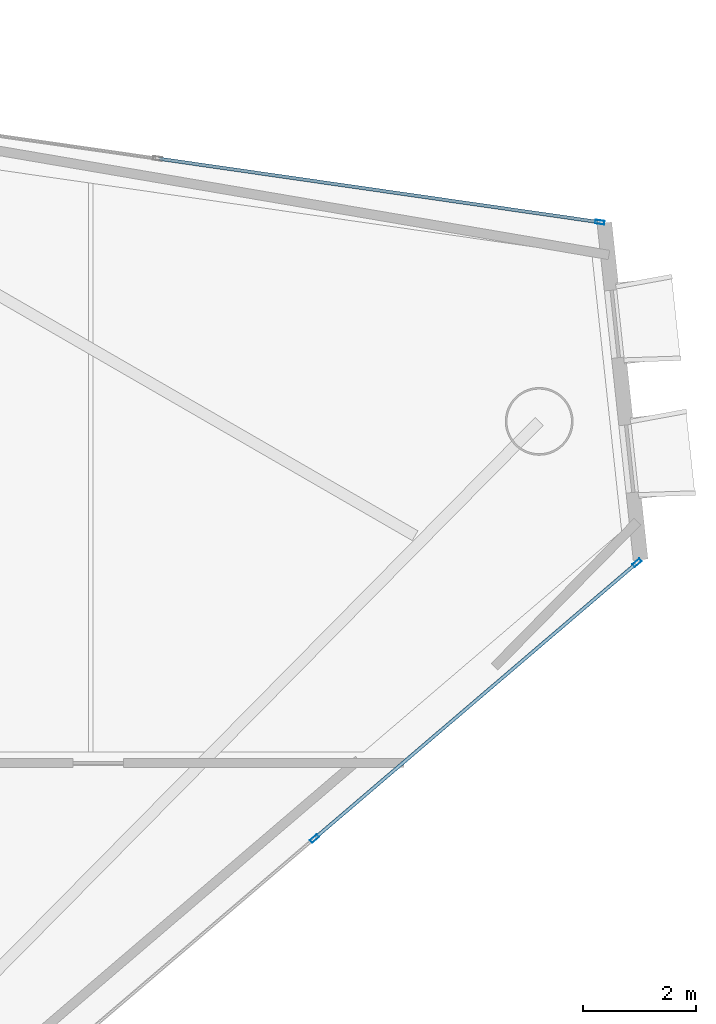
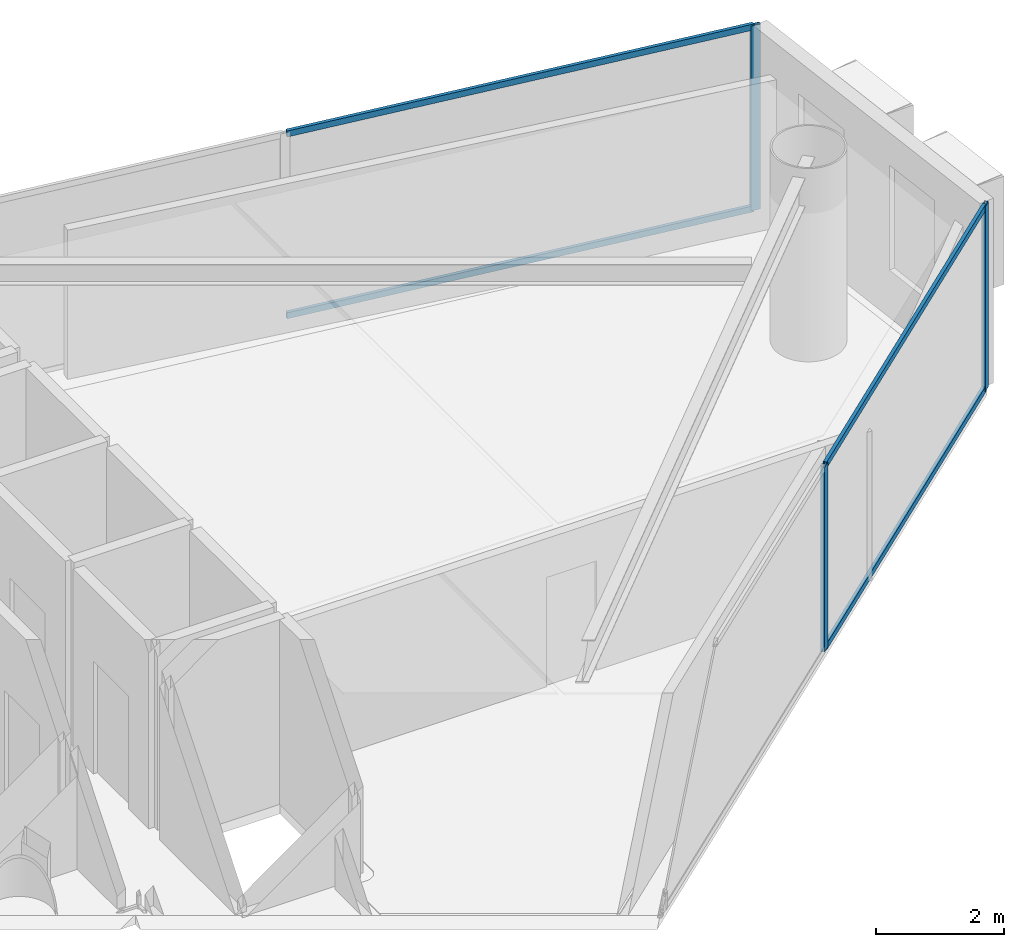
# One storey, part 15 of 23: 7 members, 2 elements without a shape of their own.
"""IFC4 building model written with IfcOpenShell, lengths in metres."""

import ifcopenshell
import ifcopenshell.guid

model = None  # the IFC model being written
_history = None  # IfcOwnerHistory: only IFC2X3 demands one
_inside = {}  # id of a spatial element -> (the spatial element, [elements in it])
_under = {}  # id of a project, library or spatial element -> (it, [spatial elements below it])
_declared = {}  # id of a project -> (the project, [libraries it declares])
_typed = {}  # id of a type object -> (the type object, [elements of that type])
_made_of = {}  # id of a material, layer set ... -> (it, [elements and type objects made of it])


def new_model(schema):
    """Start an empty IFC model of exactly this schema.

    Asked for "IFC4X3", IfcOpenShell would pick the latest addendum, in which some entities
    have other attributes; the version numbers below select the first issue.
    IFC2X3 requires an IfcOwnerHistory on every rooted entity: one is made here for all.
    """
    global model, _history
    if schema == "IFC4X3":
        model = ifcopenshell.file(schema_version=(4, 3, 0, 0))
    else:
        model = ifcopenshell.file(schema=schema)
    _inside.clear()
    _under.clear()
    _declared.clear()
    _typed.clear()
    _made_of.clear()
    _history = None
    if model.schema == "IFC2X3":
        org = make("IfcOrganization", Name="unknown")
        user = make(
            "IfcPersonAndOrganization",
            ThePerson=make("IfcPerson", FamilyName="unknown"),
            TheOrganization=org,
        )
        app = make(
            "IfcApplication",
            ApplicationDeveloper=org,
            Version="unknown",
            ApplicationFullName="unknown",
            ApplicationIdentifier="unknown",
        )
        _history = make(
            "IfcOwnerHistory",
            OwningUser=user,
            OwningApplication=app,
            ChangeAction="ADDED",
            CreationDate=0,
        )
    return model


def make(cls, **values):
    """One entity of the class cls with the attributes given. An attribute that is None is left unset."""
    return model.create_entity(
        cls, **{name: value for name, value in values.items() if value is not None}
    )


def rooted(cls, **values):
    """An entity with a GlobalId (a new one), such as an element, a storey or a relation."""
    return make(cls, GlobalId=ifcopenshell.guid.new(), OwnerHistory=_history, **values)


def si_unit(unit_type, name, prefix=None):
    """IfcSIUnit, for example si_unit("LENGTHUNIT", "METRE", prefix="MILLI")."""
    return make("IfcSIUnit", UnitType=unit_type, Prefix=prefix, Name=name)


def assignment(units):
    """IfcUnitAssignment: the units of a project."""
    return None if units is None else make("IfcUnitAssignment", Units=units)


def point(xyz):
    """IfcCartesianPoint."""
    return None if xyz is None else make("IfcCartesianPoint", Coordinates=xyz)


def direction(xyz):
    """IfcDirection."""
    return None if xyz is None else make("IfcDirection", DirectionRatios=xyz)


def frame(location, z_axis=None, x_axis=None):
    """IfcAxis2Placement3D, a coordinate frame: its origin and axes. An axis left out is left unset."""
    return make(
        "IfcAxis2Placement3D",
        Location=point(location),
        Axis=direction(z_axis),
        RefDirection=direction(x_axis),
    )


def frame_2d(location, x_axis=None):
    """IfcAxis2Placement2D, a coordinate frame in the plane: its origin and x axis."""
    return make(
        "IfcAxis2Placement2D", Location=point(location), RefDirection=direction(x_axis)
    )


def origin():
    """The frame at (0, 0, 0) with its axes left unset."""
    return frame((0.0, 0.0, 0.0))


def origin_2d():
    """The frame at (0, 0) in the plane with its x axis left unset."""
    return frame_2d((0.0, 0.0))


def place(relative_to, where):
    """IfcLocalPlacement: puts the frame where relative to a parent placement (None: the world)."""
    return make(
        "IfcLocalPlacement", PlacementRelTo=relative_to, RelativePlacement=where
    )


def context(
    kind, dimensions, precision=None, world=None, true_north=None, identifier=None
):
    """IfcGeometricRepresentationContext, for example the 3D "Model" context."""
    return make(
        "IfcGeometricRepresentationContext",
        ContextIdentifier=identifier,
        ContextType=kind,
        CoordinateSpaceDimension=dimensions,
        Precision=precision,
        WorldCoordinateSystem=world,
        TrueNorth=true_north,
    )


def subcontext(parent, identifier, kind, view, scale=None):
    """IfcGeometricRepresentationSubContext, for example "Body" below "Model"."""
    return make(
        "IfcGeometricRepresentationSubContext",
        ContextIdentifier=identifier,
        ContextType=kind,
        ParentContext=parent,
        TargetScale=scale,
        TargetView=view,
    )


def project(units=None, contexts=None):
    """IfcProject with its units and contexts."""
    return rooted(
        "IfcProject",
        Name="project",
        RepresentationContexts=contexts,
        UnitsInContext=assignment(units),
    )


def spatial(cls, under=None, at=None, **own):
    """A site, building, storey or space (cls), placed at a placement, below another one or the project."""
    s = rooted(cls, ObjectPlacement=at, **own)
    if under is not None:
        _under.setdefault(under.id(), (under, []))[1].append(s)
    return s


def profile(cls, at=None, kind="AREA", **sizes):
    """A parametric profile (cls). Its sizes go by their IFC names, for example OverallWidth=200.0."""
    return make(cls, ProfileType=kind, Position=at, **sizes)


def hollow_rectangle(**sizes):
    """IfcRectangleHollowProfileDef."""
    return profile("IfcRectangleHollowProfileDef", **sizes)


def extrude(swept, where, along, depth):
    """IfcExtrudedAreaSolid: the profile swept, set in the frame where, extruded along a direction by depth."""
    return make(
        "IfcExtrudedAreaSolid",
        SweptArea=swept,
        Position=where,
        ExtrudedDirection=direction(along),
        Depth=depth,
    )


def shape(context_of_items, identifier, shape_type, items):
    """IfcShapeRepresentation: the items that make up one representation, for example the "Body"."""
    return make(
        "IfcShapeRepresentation",
        ContextOfItems=context_of_items,
        RepresentationIdentifier=identifier,
        RepresentationType=shape_type,
        Items=items,
    )


def material(Name=None, Category=None):
    """IfcMaterial."""
    return make("IfcMaterial", Name=Name, Category=Category)


def layer(
    of_material, thickness, ventilated=None, Name=None, Category=None, Priority=None
):
    """IfcMaterialLayer: one layer of a wall or slab, of a material (None: an air gap)."""
    return make(
        "IfcMaterialLayer",
        Material=of_material,
        LayerThickness=thickness,
        IsVentilated=ventilated,
        Name=Name,
        Category=Category,
        Priority=Priority,
    )


def layer_set(layers, Name=None):
    """IfcMaterialLayerSet."""
    return make("IfcMaterialLayerSet", MaterialLayers=layers, LayerSetName=Name)


def material_profile(
    of_material, cross_section, Name=None, Category=None, Priority=None
):
    """IfcMaterialProfile: a cross section and its material."""
    return make(
        "IfcMaterialProfile",
        Name=Name,
        Material=of_material,
        Profile=cross_section,
        Priority=Priority,
        Category=Category,
    )


def profile_set(profiles, Name=None, composite=None):
    """IfcMaterialProfileSet."""
    return make(
        "IfcMaterialProfileSet",
        Name=Name,
        MaterialProfiles=profiles,
        CompositeProfile=composite,
    )


def made_of(thing, what):
    """Note that an element or type object is made of a material, layer set ...; save() writes the relation."""
    if what is not None:
        _made_of.setdefault(what.id(), (what, []))[1].append(thing)
    return thing


def type_object(cls, material=None, **own):
    """A type object (cls), such as IfcWallType, which elements share."""
    return made_of(rooted(cls, **own), material)


def element(
    cls,
    number,
    at=None,
    inside=None,
    cuts=None,
    type_object=None,
    material=None,
    context=None,
    identifier="Body",
    shape_type=None,
    held_by="IfcProductDefinitionShape",
    body=None,
    shapes=None,
    **own,
):
    """One element of the class cls, such as IfcWall. Its Tag is "e" and its number.

    at: its placement. inside: the storey or other place that contains it. cuts: it is an
    opening in that element (IfcRelVoidsElement). A single representation is given by context,
    identifier, shape_type and body (its items); several are given by shapes. held_by: the class
    of the entity that holds the representations. save() writes the other relations.
    """
    e = rooted(cls, Tag="e%d" % number, ObjectPlacement=at, **own)
    if body is not None:
        shapes = [shape(context, identifier, shape_type, body)]
    if shapes is not None:
        e.Representation = make(held_by, Representations=shapes)
    if inside is not None:
        _inside.setdefault(inside.id(), (inside, []))[1].append(e)
    if cuts is not None:
        rooted(
            "IfcRelVoidsElement", RelatingBuildingElement=cuts, RelatedOpeningElement=e
        )
    if type_object is not None:
        _typed.setdefault(type_object.id(), (type_object, []))[1].append(e)
    return made_of(e, material)


def aggregate(whole, parts):
    """IfcRelAggregates: a whole, such as a stair, and the parts it consists of."""
    return rooted("IfcRelAggregates", RelatingObject=whole, RelatedObjects=parts)


def save(model, path):
    """Write the relations noted so far, then the file.

    IfcRelAggregates (storeys below a building ...), IfcRelContainedInSpatialStructure (elements
    in a storey), IfcRelDefinesByType, IfcRelAssociatesMaterial and IfcRelDeclares: one each for
    every whole, place, type object, material and project.
    """
    for whole, parts in _under.values():
        aggregate(whole, parts)
    for where, things in _inside.values():
        rooted(
            "IfcRelContainedInSpatialStructure",
            RelatedElements=things,
            RelatingStructure=where,
        )
    for kind, things in _typed.values():
        rooted("IfcRelDefinesByType", RelatedObjects=things, RelatingType=kind)
    for what, things in _made_of.values():
        rooted("IfcRelAssociatesMaterial", RelatedObjects=things, RelatingMaterial=what)
    for by, libraries in _declared.values():
        rooted("IfcRelDeclares", RelatingContext=by, RelatedDefinitions=libraries)
    model.write(path)


model = new_model("IFC4")

# Units and contexts
model_context = context("Model", 3, precision=1e-05, world=origin(), true_north=direction((0.0, 1.0)))
body_context = subcontext(model_context, "Body", "Model", "MODEL_VIEW")
ifc_project = project(units=[si_unit("LENGTHUNIT", "METRE"), si_unit("AREAUNIT", "SQUARE_METRE"), si_unit("VOLUMEUNIT", "CUBIC_METRE"), si_unit("PLANEANGLEUNIT", "RADIAN"), si_unit("MASSUNIT", "GRAM", prefix="KILO")], contexts=[model_context])

# Site, building, storey
site_placement = place(None, origin())
site = spatial("IfcSite", under=ifc_project, at=site_placement, CompositionType="ELEMENT")
building_placement = place(site_placement, origin())
building = spatial("IfcBuilding", under=site, at=building_placement, Name="Qianvela Tower", CompositionType="ELEMENT")
storey_placement = place(building_placement, frame((0.0, 0.0, 215.10009765625)))
storey = spatial("IfcBuildingStorey", under=building, at=storey_placement, Name="L55", CompositionType="ELEMENT", Elevation=215.10009765625)

# Curtain wall, member
ifc_material_1 = material(Name="Anodised Architectural Aluminium and Low-E Glass", Category="aluminium")
ifc_layer = layer(ifc_material_1, 0.159912109375)
ifc_layer_set = layer_set([ifc_layer], Name="Anodised Architectural Aluminium and Low-E Glass")
curtain_wall_type = type_object("IfcCurtainWallType", Name="CW-COLIV-Z56", PredefinedType="USERDEFINED", material=ifc_layer_set)
curtain_wall_1_placement = place(storey_placement, origin())
curtain_wall_1 = element("IfcCurtainWall", 1, at=curtain_wall_1_placement, inside=storey, type_object=curtain_wall_type, Name="L55 CW-COLIV-Z56 Curtain Wall 02A", ObjectType="CURTAIN_WALL_SYSTEM", PredefinedType="USERDEFINED")
ifc_material_2 = material(Name="Anodised Architectural Aluminium 6063-T6", Category="aluminium")
ifc_material_profile_1 = material_profile(ifc_material_2, hollow_rectangle(XDim=0.06494140625, YDim=0.159912109375, WallThickness=0.0048828125, at=origin_2d()), Name="ALU-MULL-65x160")
ifc_profile_set_1 = profile_set([ifc_material_profile_1], Name="Anodised Architectural Aluminium 6063-T6")
member_type_1 = type_object("IfcMemberType", Name="CW-COLIV-Z56-MULL", PredefinedType="MULLION", material=ifc_profile_set_1)
member_1_placement = place(storey_placement, frame((57.96923828125, 34.7939453125, 0.0), z_axis=(0.0, 0.0, 1.0), x_axis=(-0.142508103244, -0.989793635315, 0.0)))
member_1 = element("IfcMember", 2, at=member_1_placement, type_object=member_type_1, Name="CW-5 mullion 1", PredefinedType="MULLION", context=body_context, shape_type="SweptSolid", body=[
    extrude(hollow_rectangle(XDim=0.06494140625, YDim=0.159912109375, WallThickness=0.0048828125, at=origin_2d()), origin(), (0.0, 0.0, 1.0), 3.52001953125),
])

# Curtain wall, members
curtain_wall_2_placement = place(storey_placement, origin())
curtain_wall_2 = element("IfcCurtainWall", 3, at=curtain_wall_2_placement, inside=storey, type_object=curtain_wall_type, Name="L55 CW-COLIV-Z56 Curtain Wall 06C", ObjectType="CURTAIN_WALL_SYSTEM", PredefinedType="USERDEFINED")
member_2_placement = place(storey_placement, frame((52.919677734375, 23.8896484375, 0.0), z_axis=(0.0, 0.0, 1.0), x_axis=(-0.649616798555, 0.760261806903, 0.0)))
member_2 = element("IfcMember", 4, at=member_2_placement, type_object=member_type_1, Name="CW-5 mullion 2", PredefinedType="MULLION", context=body_context, shape_type="SweptSolid", body=[
    extrude(hollow_rectangle(XDim=0.06494140625, YDim=0.159912109375, WallThickness=0.0048828125, at=origin_2d()), origin(), (0.0, 0.0, 1.0), 3.52001953125),
])
member_3_placement = place(storey_placement, frame((58.62890625, 28.76806640625, 0.0), z_axis=(0.0, 0.0, 1.0), x_axis=(-0.649616798555, 0.760261806903, 0.0)))
member_3 = element("IfcMember", 5, at=member_3_placement, type_object=member_type_1, Name="CW-5 mullion 3", PredefinedType="MULLION", context=body_context, shape_type="SweptSolid", body=[
    extrude(hollow_rectangle(XDim=0.06494140625, YDim=0.159912109375, WallThickness=0.0048828125, at=origin_2d()), origin(), (0.0, 0.0, 1.0), 3.52001953125),
])

# Member
ifc_material_3 = material(Name="Anodised Architectural Aluminium 6063-T6", Category="aluminium")
ifc_material_profile_2 = material_profile(ifc_material_3, hollow_rectangle(XDim=0.06005859375, YDim=0.114990234375, WallThickness=0.00390625, at=origin_2d()), Name="ALU-TRAN-60x115")
ifc_profile_set_2 = profile_set([ifc_material_profile_2], Name="Anodised Architectural Aluminium 6063-T6")
member_type_2 = type_object("IfcMemberType", Name="CW-COLIV-Z56-TRAN", PredefinedType="USERDEFINED", material=ifc_profile_set_2)
member_4_placement = place(storey_placement, frame((57.93701171875, 34.798583984375, 0.02978515625), z_axis=(-0.989793143004, 0.142511522557, 0.0), x_axis=(-0.142511522557, -0.989793143004, 0.0)))
member_4 = element("IfcMember", 6, at=member_4_placement, type_object=member_type_2, Name="CW-5 transom 1.1", ObjectType="TRANSOM", PredefinedType="USERDEFINED", context=body_context, shape_type="SweptSolid", body=[
    extrude(hollow_rectangle(XDim=0.06005859375, YDim=0.114990234375, WallThickness=0.00390625, at=origin_2d()), origin(), (0.0, 0.0, 1.0), 7.837646484375),
])

member_5_placement = place(storey_placement, frame((57.93701171875, 34.798583984375, 3.489990234375), z_axis=(-0.989793143004, 0.142511522557, 0.0), x_axis=(-0.142511522557, -0.989793143004, 0.0)))
member_5 = element("IfcMember", 7, at=member_5_placement, type_object=member_type_2, Name="CW-5 transom 1.2", ObjectType="TRANSOM", PredefinedType="USERDEFINED", context=body_context, shape_type="SweptSolid", body=[
    extrude(hollow_rectangle(XDim=0.06005859375, YDim=0.114990234375, WallThickness=0.00390625, at=origin_2d()), origin(), (0.0, 0.0, 1.0), 7.837646484375),
])

aggregate(curtain_wall_1, [member_1, member_4, member_5])

member_6_placement = place(storey_placement, frame((52.9443359375, 23.910888671875, 0.02978515625), z_axis=(0.760262661343, 0.649615798583, 0.0), x_axis=(-0.649615798583, 0.760262661343, 0.0)))
member_6 = element("IfcMember", 8, at=member_6_placement, type_object=member_type_2, Name="CW-5 transom 2.1", ObjectType="TRANSOM", PredefinedType="USERDEFINED", context=body_context, shape_type="SweptSolid", body=[
    extrude(hollow_rectangle(XDim=0.06005859375, YDim=0.114990234375, WallThickness=0.00390625, at=origin_2d()), origin(), (0.0, 0.0, 1.0), 7.444580078125),
])

member_7_placement = place(storey_placement, frame((52.9443359375, 23.910888671875, 3.489990234375), z_axis=(0.760262661343, 0.649615798583, 0.0), x_axis=(-0.649615798583, 0.760262661343, 0.0)))
member_7 = element("IfcMember", 9, at=member_7_placement, type_object=member_type_2, Name="CW-5 transom 2.2", ObjectType="TRANSOM", PredefinedType="USERDEFINED", context=body_context, shape_type="SweptSolid", body=[
    extrude(hollow_rectangle(XDim=0.06005859375, YDim=0.114990234375, WallThickness=0.00390625, at=origin_2d()), origin(), (0.0, 0.0, 1.0), 7.444580078125),
])

aggregate(curtain_wall_2, [member_2, member_3, member_6, member_7])

save(model, "model.ifc")
